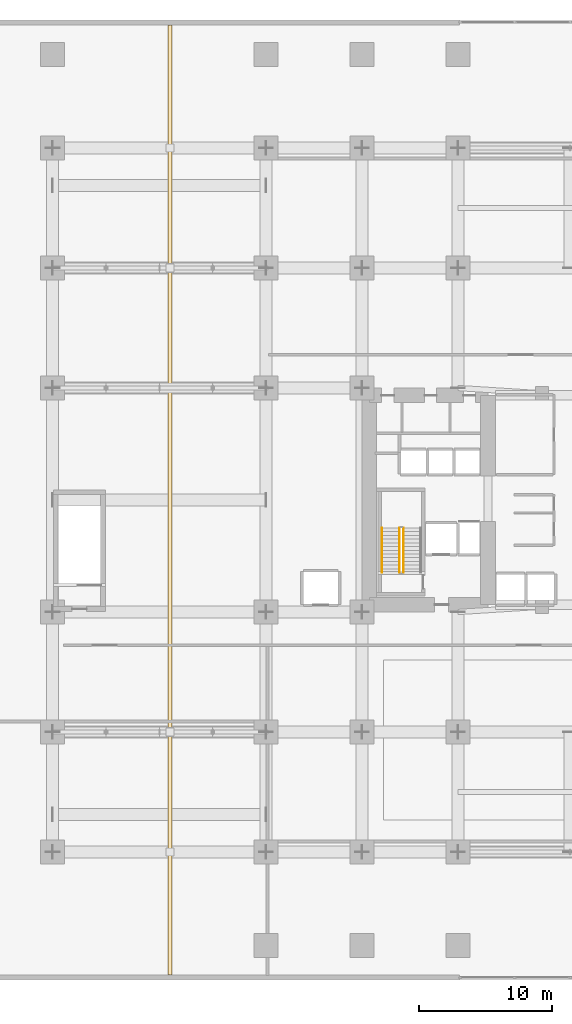
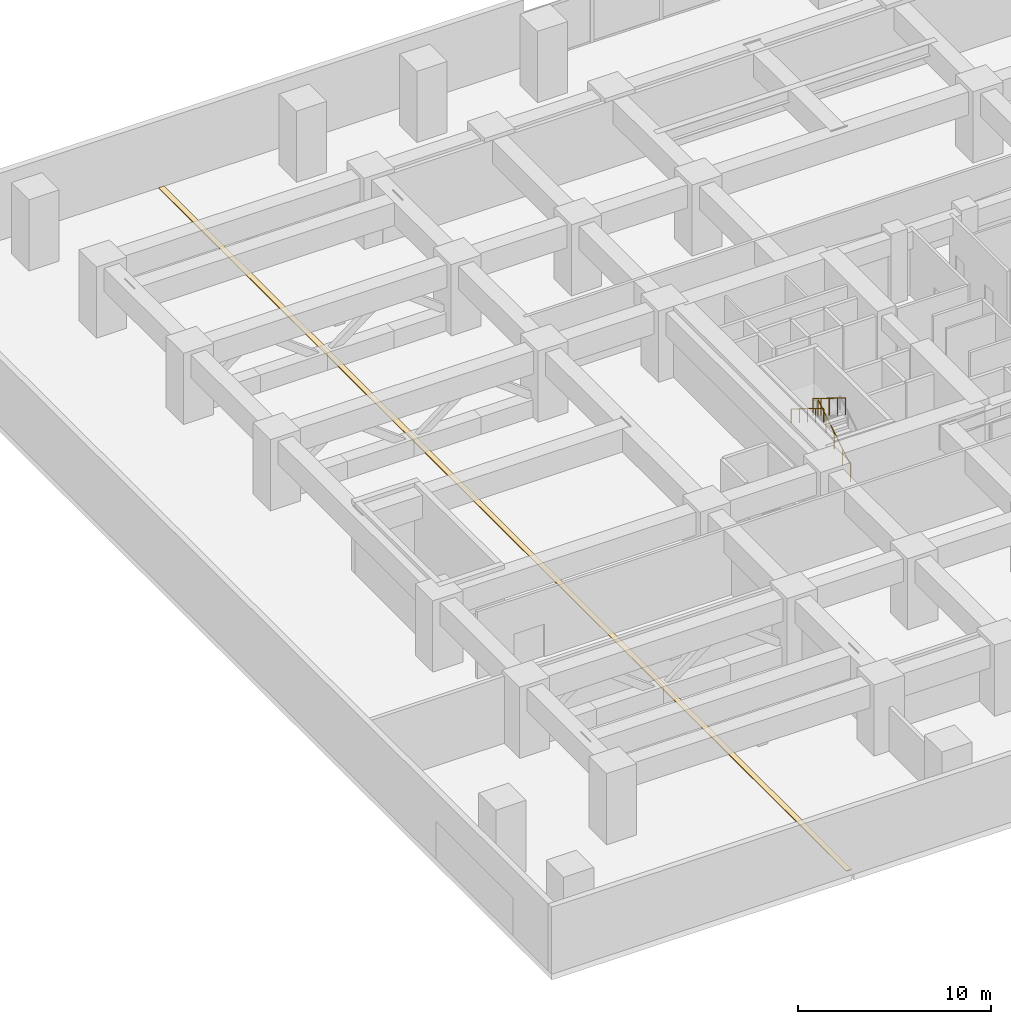
# One storey, part 23 of 25: 3 railings, 1 covering.
"""IFC4 building model written with IfcOpenShell, lengths in metres."""

from ifc_helpers import new_model, si_unit, direction, frame, origin, origin_2d, place, context, subcontext, project, spatial, polyline, rectangle, outline, extrude, material, layer, layer_set, type_object, element, save


model = new_model("IFC4")

# Units and contexts
model_context = context("Model", 3, precision=1e-05, world=origin(), true_north=direction((0.0, 1.0)))
body_context = subcontext(model_context, "Body", "Model", "MODEL_VIEW")
ifc_project = project(units=[si_unit("LENGTHUNIT", "METRE"), si_unit("AREAUNIT", "SQUARE_METRE"), si_unit("VOLUMEUNIT", "CUBIC_METRE"), si_unit("PLANEANGLEUNIT", "RADIAN"), si_unit("MASSUNIT", "GRAM", prefix="KILO")], contexts=[model_context])

# Site, building, storey
site_placement = place(None, origin())
site = spatial("IfcSite", under=ifc_project, at=site_placement, CompositionType="ELEMENT")
building_placement = place(site_placement, origin())
building = spatial("IfcBuilding", under=site, at=building_placement, Name="Kiyonajd Concourse Tower", CompositionType="ELEMENT")
storey_placement = place(building_placement, frame((0.0, 0.0, 17.10009765625)))
storey = spatial("IfcBuildingStorey", under=building, at=storey_placement, Name="L05", CompositionType="ELEMENT", Elevation=17.10009765625)

# Covering
ifc_material_1 = material(Name="Riyadh Jubaila Limestone", Category="masonry")
ifc_layer = layer(ifc_material_1, 0.050048828125)
ifc_layer_set = layer_set([ifc_layer], Name="Riyadh Jubaila Limestone")
covering_type = type_object("IfcCoveringType", Name="CV-FLR-RAISED", PredefinedType="FLOORING", material=ifc_layer_set)
covering_placement = place(storey_placement, origin())
element("IfcCovering", 1, at=covering_placement, inside=storey, type_object=covering_type, Name="L05 Seismic Movement Joint MJ1 Floor Cover Assembly", PredefinedType="FLOORING", context=body_context, shape_type="SweptSolid", body=[
    extrude(outline(polyline([(17.840087890625, 0.39990234375), (18.159912109375, 0.39990234375), (18.159912109375, 71.60009765625), (17.840087890625, 71.60009765625), (17.840087890625, 0.39990234375)])), origin(), (0.0, 0.0, 1.0), 0.0498046875),
])

# Railings
ifc_material_2 = material(Name="Steel ASTM A500 Grade C", Category="steel")
railing_type_1 = type_object("IfcRailingType", Name="RL-GRD-STR", PredefinedType="GUARDRAIL", material=ifc_material_2)
railing_1_placement = place(storey_placement, frame((35.5, 30.550048828125, 0.173095703125)))
element("IfcRailing", 2, at=railing_1_placement, inside=storey, type_object=railing_type_1, Name="L05 ST1 stair guard 1", PredefinedType="GUARDRAIL", context=body_context, shape_type="SweptSolid", body=[
    extrude(rectangle(XDim=0.048095703125, YDim=0.048095703125, at=origin_2d()), frame((0.0, 0.0, 1.076171875), z_axis=(0.0, 0.850606129759, 0.525803396734), x_axis=(-1.0, 0.0, 0.0)), (0.0, 0.0, 1.0), 3.949951171875),
    extrude(rectangle(XDim=0.0419921875, YDim=0.0419921875, at=origin_2d()), origin(), (0.0, 0.0, 1.0), 1.052001953125),
    extrude(rectangle(XDim=0.0419921875, YDim=0.0419921875, at=origin_2d()), frame((0.0, 0.83984375, 0.519287109375)), (0.0, 0.0, 1.0), 1.052001953125),
    extrude(rectangle(XDim=0.0419921875, YDim=0.0419921875, at=origin_2d()), frame((0.0, 1.679931640625, 1.03857421875)), (0.0, 0.0, 1.0), 1.052001953125),
    extrude(rectangle(XDim=0.0419921875, YDim=0.0419921875, at=origin_2d()), frame((0.0, 2.52001953125, 1.5576171875)), (0.0, 0.0, 1.0), 1.052001953125),
    extrude(rectangle(XDim=0.0419921875, YDim=0.0419921875, at=origin_2d()), frame((0.0, 3.35986328125, 2.076904296875)), (0.0, 0.0, 1.0), 1.052001953125),
])
railing_2_placement = place(storey_placement, frame((35.199951171875, 33.909912109375, 2.423095703125)))
element("IfcRailing", 3, at=railing_2_placement, inside=storey, type_object=railing_type_1, Name="L05 ST1 stair guard 3", PredefinedType="GUARDRAIL", context=body_context, shape_type="SweptSolid", body=[
    extrude(rectangle(XDim=0.048095703125, YDim=0.048095703125, at=origin_2d()), frame((0.0, 0.0, 1.076171875), z_axis=(0.0, -0.850606129759, 0.525803396734), x_axis=(1.0, 0.0, 0.0)), (0.0, 0.0, 1.0), 3.949951171875),
    extrude(rectangle(XDim=0.0419921875, YDim=0.0419921875, at=origin_2d()), origin(), (0.0, 0.0, 1.0), 1.052001953125),
    extrude(rectangle(XDim=0.0419921875, YDim=0.0419921875, at=origin_2d()), frame((0.0, -0.83984375, 0.519287109375)), (0.0, 0.0, 1.0), 1.052001953125),
    extrude(rectangle(XDim=0.0419921875, YDim=0.0419921875, at=origin_2d()), frame((0.0, -1.679931640625, 1.03857421875)), (0.0, 0.0, 1.0), 1.052001953125),
    extrude(rectangle(XDim=0.0419921875, YDim=0.0419921875, at=origin_2d()), frame((0.0, -2.52001953125, 1.5576171875)), (0.0, 0.0, 1.0), 1.052001953125),
    extrude(rectangle(XDim=0.0419921875, YDim=0.0419921875, at=origin_2d()), frame((0.0, -3.35986328125, 2.076904296875)), (0.0, 0.0, 1.0), 1.052001953125),
])
ifc_material_3 = material(Name="Brushed Stainless Steel Cab Assembly", Category="steel")
railing_type_2 = type_object("IfcRailingType", Name="RL-HND-900", PredefinedType="HANDRAIL", material=ifc_material_3)
railing_3_placement = place(storey_placement, frame((33.89990234375, 33.909912109375, 2.423095703125)))
element("IfcRailing", 4, at=railing_3_placement, inside=storey, type_object=railing_type_2, Name="L05 ST1 stair handrail 2", PredefinedType="HANDRAIL", context=body_context, shape_type="SweptSolid", body=[
    extrude(rectangle(XDim=0.048095703125, YDim=0.048095703125, at=origin_2d()), frame((0.0, 0.0, 0.8759765625), z_axis=(0.0, -0.850606129759, 0.525803396734), x_axis=(1.0, 0.0, 0.0)), (0.0, 0.0, 1.0), 3.949951171875),
    extrude(rectangle(XDim=0.0419921875, YDim=0.0419921875, at=origin_2d()), origin(), (0.0, 0.0, 1.0), 0.851806640625),
    extrude(rectangle(XDim=0.0419921875, YDim=0.0419921875, at=origin_2d()), frame((0.0, -0.83984375, 0.519287109375)), (0.0, 0.0, 1.0), 0.851806640625),
    extrude(rectangle(XDim=0.0419921875, YDim=0.0419921875, at=origin_2d()), frame((0.0, -1.679931640625, 1.03857421875)), (0.0, 0.0, 1.0), 0.851806640625),
    extrude(rectangle(XDim=0.0419921875, YDim=0.0419921875, at=origin_2d()), frame((0.0, -2.52001953125, 1.5576171875)), (0.0, 0.0, 1.0), 0.851806640625),
    extrude(rectangle(XDim=0.0419921875, YDim=0.0419921875, at=origin_2d()), frame((0.0, -3.35986328125, 2.076904296875)), (0.0, 0.0, 1.0), 0.851806640625),
])

save(model, "model.ifc")
